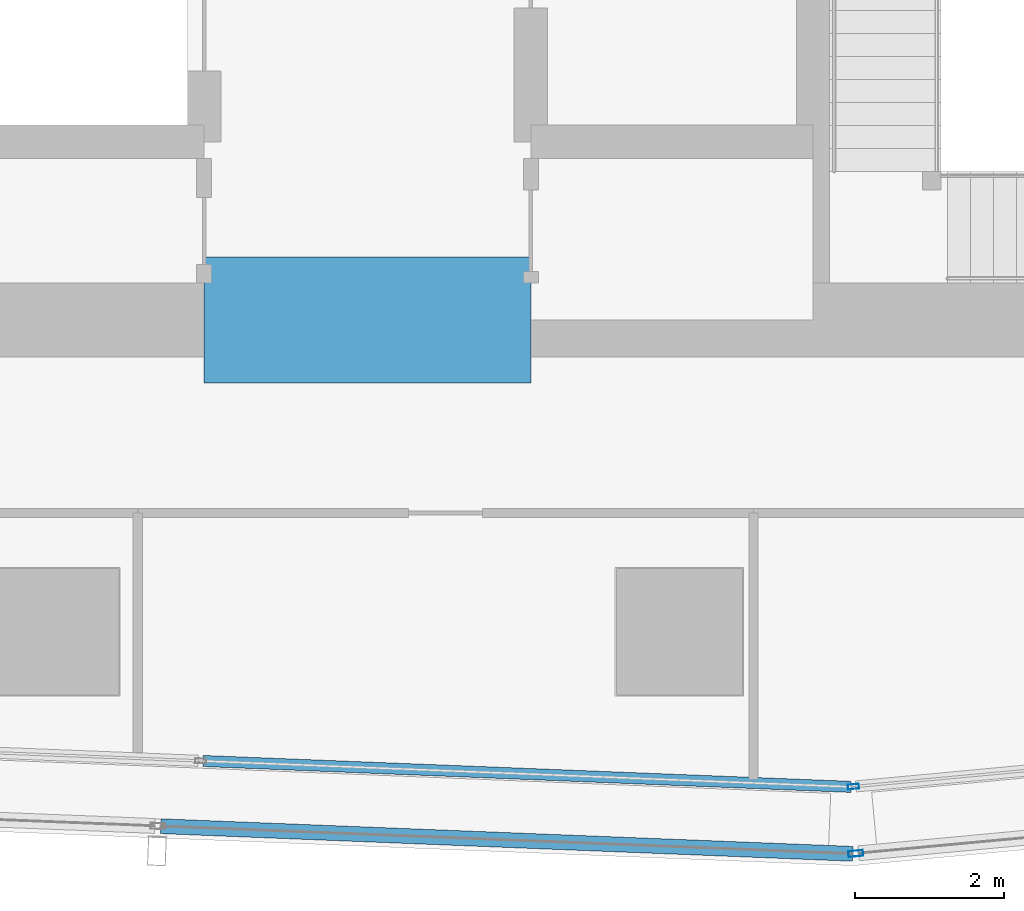
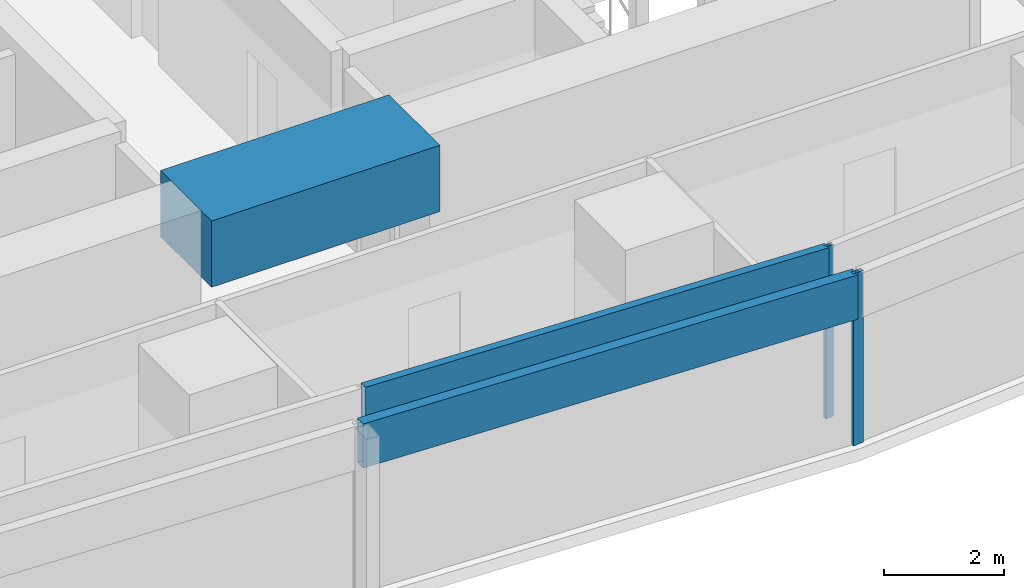
# One storey, part 10 of 39: 4 members, 1 beam, 4 elements without a shape of their own.
"""IFC4 building model written with IfcOpenShell, lengths in metres."""

from ifc_helpers import new_model, si_unit, direction, frame, origin, origin_2d, place, context, subcontext, project, spatial, rectangle, hollow_rectangle, extrude, material, material_profile, profile_set, type_object, element, aggregate, save


model = new_model("IFC4")

# Units and contexts
model_context = context("Model", 3, precision=1e-05, world=origin(), true_north=direction((0.0, 1.0)))
body_context = subcontext(model_context, "Body", "Model", "MODEL_VIEW")
ifc_project = project(units=[si_unit("LENGTHUNIT", "METRE"), si_unit("AREAUNIT", "SQUARE_METRE"), si_unit("VOLUMEUNIT", "CUBIC_METRE"), si_unit("PLANEANGLEUNIT", "RADIAN"), si_unit("MASSUNIT", "GRAM", prefix="KILO")], contexts=[model_context])

# Site, building, storey
site_placement = place(None, origin())
site = spatial("IfcSite", under=ifc_project, at=site_placement, CompositionType="ELEMENT")
building_placement = place(site_placement, origin())
building = spatial("IfcBuilding", under=site, at=building_placement, Name="Rekha Terrace Tower", CompositionType="ELEMENT")
storey_placement = place(building_placement, frame((0.0, 0.0, 183.949951171875)))
storey = spatial("IfcBuildingStorey", under=building, at=storey_placement, Name="L46", CompositionType="ELEMENT", Elevation=183.949951171875)

# Curtain wall, member
ifc_material_1 = material(Name="Aluminium framing", Category="aluminium")
curtain_wall_type_1 = type_object("IfcCurtainWallType", Name="CW1 double skin inner glazing", PredefinedType="USERDEFINED", material=ifc_material_1)
curtain_wall_1_placement = place(storey_placement, origin())
curtain_wall_1 = element("IfcCurtainWall", 1, at=curtain_wall_1_placement, inside=storey, type_object=curtain_wall_type_1, Name="CW1 double skin inner glazing", ObjectType="DOUBLE SKIN INNER GLAZING", PredefinedType="USERDEFINED")
ifc_material_2 = material(Name="Aluminium mullion section", Category="aluminium")
ifc_material_profile_1 = material_profile(ifc_material_2, hollow_rectangle(XDim=0.06494140625, YDim=0.14990234375, WallThickness=0.00390625, at=origin_2d()), Name="AL RHS 65x150")
ifc_profile_set_1 = profile_set([ifc_material_profile_1], Name="Aluminium mullion section")
member_type_1 = type_object("IfcMemberType", Name="CW1 mullion RHS 65 x 150", PredefinedType="MULLION", material=ifc_profile_set_1)
member_1_placement = place(storey_placement, frame((44.34423828125, 14.715087890625, 0.0), z_axis=(0.0, 0.0, 1.0), x_axis=(-0.092708869529, 0.995693258745, 0.0)))
member_1 = element("IfcMember", 2, at=member_1_placement, type_object=member_type_1, Name="CW1 mullion 1", PredefinedType="MULLION", context=body_context, shape_type="SweptSolid", body=[
    extrude(hollow_rectangle(XDim=0.06494140625, YDim=0.14990234375, WallThickness=0.00390625, at=origin_2d()), origin(), (0.0, 0.0, 1.0), 3.5),
])
aggregate(curtain_wall_1, [member_1])

curtain_wall_2_placement = place(storey_placement, origin())
curtain_wall_2 = element("IfcCurtainWall", 3, at=curtain_wall_2_placement, inside=storey, type_object=curtain_wall_type_1, Name="CW1 double skin inner glazing", ObjectType="DOUBLE SKIN INNER GLAZING", PredefinedType="USERDEFINED")
ifc_material_3 = material(Name="Insulated aluminium spandrel box", Category="aluminium")
ifc_material_profile_2 = material_profile(ifc_material_3, hollow_rectangle(XDim=0.14990234375, YDim=0.89990234375, WallThickness=0.0029296875, at=origin_2d()), Name="AL SPANDREL BOX 150x900")
ifc_profile_set_2 = profile_set([ifc_material_profile_2], Name="Insulated aluminium spandrel box")
member_type_2 = type_object("IfcMemberType", Name="CW1 spandrel transom 150 x 900", PredefinedType="USERDEFINED", material=ifc_profile_set_2)
member_2_placement = place(storey_placement, frame((35.584716796875, 15.060302734375, 3.050048828125), z_axis=(0.999204125954, -0.039888778821, 0.0), x_axis=(0.039888778821, 0.999204125954, 0.0)))
member_2 = element("IfcMember", 4, at=member_2_placement, type_object=member_type_2, Name="CW1 spandrel transom 4", ObjectType="TRANSOM", PredefinedType="USERDEFINED", context=body_context, shape_type="SweptSolid", body=[
    extrude(hollow_rectangle(XDim=0.14990234375, YDim=0.89990234375, WallThickness=0.0029296875, at=origin_2d()), origin(), (0.0, 0.0, 1.0), 8.73388671875),
])
aggregate(curtain_wall_2, [member_2])

curtain_wall_type_2 = type_object("IfcCurtainWallType", Name="CW2 double skin outer glazing", PredefinedType="USERDEFINED", material=ifc_material_1)
curtain_wall_3_placement = place(storey_placement, origin())
curtain_wall_3 = element("IfcCurtainWall", 5, at=curtain_wall_3_placement, inside=storey, type_object=curtain_wall_type_2, Name="CW2 double skin outer glazing", ObjectType="DOUBLE SKIN OUTER GLAZING", PredefinedType="USERDEFINED")
ifc_material_profile_3 = material_profile(ifc_material_2, hollow_rectangle(XDim=0.080078125, YDim=0.199951171875, WallThickness=0.00390625, at=origin_2d()), Name="AL RHS 80x200")
ifc_profile_set_3 = profile_set([ifc_material_profile_3], Name="Aluminium mullion section")
member_type_3 = type_object("IfcMemberType", Name="CW2 mullion RHS 80 x 200", PredefinedType="MULLION", material=ifc_profile_set_3)
member_3_placement = place(storey_placement, frame((44.37548828125, 13.81396484375, 0.0), z_axis=(0.0, 0.0, 1.0), x_axis=(-0.092708869512, 0.995693258747, 0.0)))
member_3 = element("IfcMember", 6, at=member_3_placement, type_object=member_type_3, Name="CW2 mullion 1", PredefinedType="MULLION", context=body_context, shape_type="SweptSolid", body=[
    extrude(hollow_rectangle(XDim=0.080078125, YDim=0.199951171875, WallThickness=0.00390625, at=origin_2d()), origin(), (0.0, 0.0, 1.0), 3.5),
])
aggregate(curtain_wall_3, [member_3])

curtain_wall_4_placement = place(storey_placement, origin())
curtain_wall_4 = element("IfcCurtainWall", 7, at=curtain_wall_4_placement, inside=storey, type_object=curtain_wall_type_2, Name="CW2 double skin outer glazing", ObjectType="DOUBLE SKIN OUTER GLAZING", PredefinedType="USERDEFINED")
ifc_material_profile_4 = material_profile(ifc_material_3, hollow_rectangle(XDim=0.199951171875, YDim=0.89990234375, WallThickness=0.0029296875, at=origin_2d()), Name="AL SPANDREL BOX 200x900")
ifc_profile_set_4 = profile_set([ifc_material_profile_4], Name="Insulated aluminium spandrel box")
member_type_4 = type_object("IfcMemberType", Name="CW2 spandrel transom 200 x 900", PredefinedType="USERDEFINED", material=ifc_profile_set_4)
member_4_placement = place(storey_placement, frame((35.01708984375, 14.18212890625, 3.050048828125), z_axis=(0.999204884837, -0.039869764458, 0.0), x_axis=(0.039869764458, 0.999204884837, 0.0)))
member_4 = element("IfcMember", 8, at=member_4_placement, type_object=member_type_4, Name="CW2 spandrel transom 4", ObjectType="TRANSOM", PredefinedType="USERDEFINED", context=body_context, shape_type="SweptSolid", body=[
    extrude(hollow_rectangle(XDim=0.199951171875, YDim=0.89990234375, WallThickness=0.0029296875, at=origin_2d()), origin(), (0.0, 0.0, 1.0), 9.325927734375),
])
aggregate(curtain_wall_4, [member_4])

# Beam
ifc_material_4 = material(Name="Concrete M60", Category="concrete")
ifc_material_profile_5 = material_profile(ifc_material_4, rectangle(XDim=1.699951171875, YDim=1.35009765625, at=origin_2d()), Name="RC 1700x1350")
ifc_profile_set_5 = profile_set([ifc_material_profile_5], Name="Concrete M60")
beam_type = type_object("IfcBeamType", Name="LB3A 1700x1350 diagonally reinforced coupling beam", PredefinedType="LINTEL", material=ifc_profile_set_5)
beam_placement = place(storey_placement, frame((35.60009765625, 21.0, 3.074951171875), z_axis=(1.0, 0.0, 0.0), x_axis=(0.0, 1.0, 0.0)))
element("IfcBeam", 9, at=beam_placement, inside=storey, type_object=beam_type, Name="Coupling beam LB3A S L46", PredefinedType="LINTEL", context=body_context, shape_type="SweptSolid", body=[
    extrude(rectangle(XDim=1.699951171875, YDim=1.35009765625, at=origin_2d()), origin(), (0.0, 0.0, 1.0), 4.39990234375),
])

save(model, "model.ifc")
